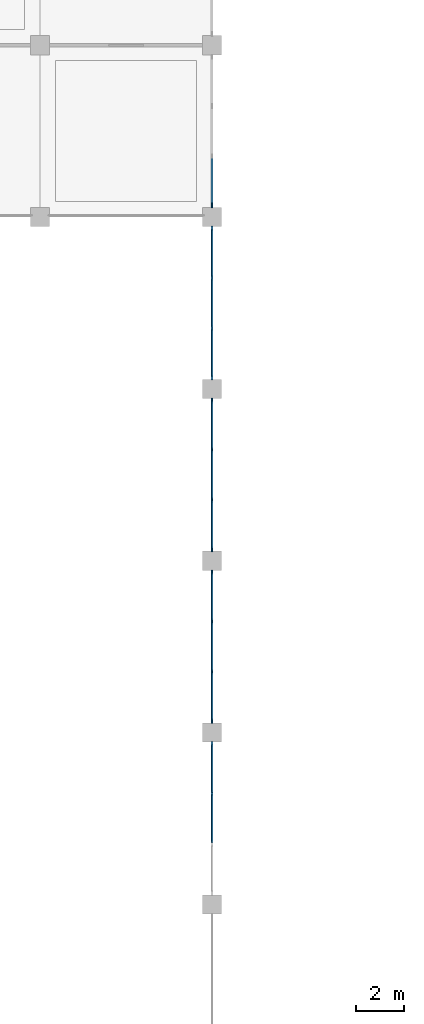
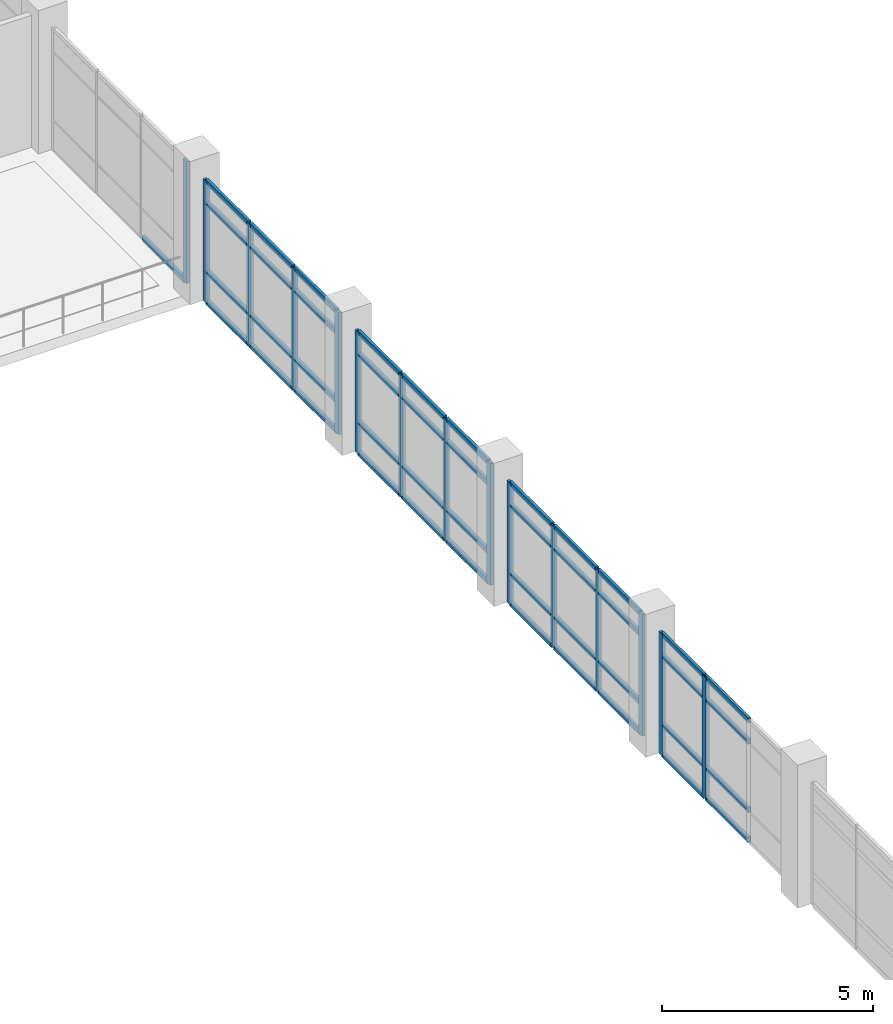
# One storey, part 7 of 62: 60 members, 5 elements without a shape of their own.
"""IFC4 building model written with IfcOpenShell, lengths in metres."""

from ifc_helpers import new_model, si_unit, direction, frame, origin, origin_2d, place, context, subcontext, project, spatial, rectangle, extrude, material, layer, layer_set, material_profile, profile_set, type_object, element, aggregate, save


model = new_model("IFC4")

# Units and contexts
model_context = context("Model", 3, precision=1e-05, world=origin(), true_north=direction((0.0, 1.0)))
body_context = subcontext(model_context, "Body", "Model", "MODEL_VIEW")
ifc_project = project(units=[si_unit("LENGTHUNIT", "METRE"), si_unit("AREAUNIT", "SQUARE_METRE"), si_unit("VOLUMEUNIT", "CUBIC_METRE"), si_unit("PLANEANGLEUNIT", "RADIAN"), si_unit("MASSUNIT", "GRAM", prefix="KILO")], contexts=[model_context])

# Site, building, storey
site_placement = place(None, origin())
site = spatial("IfcSite", under=ifc_project, at=site_placement, CompositionType="ELEMENT")
building_placement = place(site_placement, origin())
building = spatial("IfcBuilding", under=site, at=building_placement, Name="Kavelor Marine Aquarium", CompositionType="ELEMENT")
storey_placement = place(building_placement, frame((0.0, 0.0, 13.5)))
storey = spatial("IfcBuildingStorey", under=building, at=storey_placement, Name="L03", CompositionType="ELEMENT", Elevation=13.5)

# Curtain wall, members
ifc_material_1 = material(Name="Thermally Broken Aluminium and Low-E Glass", Category="aluminium")
ifc_layer_1 = layer(ifc_material_1, 0.2919921875)
ifc_layer_set_1 = layer_set([ifc_layer_1], Name="CW-SYS19")
curtain_wall_type_1 = type_object("IfcCurtainWallType", Name="CW-SYS19", PredefinedType="USERDEFINED", material=ifc_layer_set_1)
curtain_wall_1_placement = place(storey_placement, origin())
curtain_wall_1 = element("IfcCurtainWall", 1, at=curtain_wall_1_placement, inside=storey, type_object=curtain_wall_type_1, Name="cw:y:L03:05_05", ObjectType="Curtain Wall", PredefinedType="USERDEFINED")
ifc_material_2 = material(Name="Anodised Aluminium Alloy 6063-T6", Category="aluminium")
ifc_material_profile_1 = material_profile(ifc_material_2, rectangle(XDim=0.074951171875, YDim=0.179931640625, at=origin_2d()), Name="CW-MUL 75x180")
ifc_profile_set_1 = profile_set([ifc_material_profile_1], Name="Anodised Aluminium Alloy 6063-T6")
member_type_1 = type_object("IfcMemberType", Name="CWM-1", PredefinedType="MULLION", material=ifc_profile_set_1)
member_1_placement = place(storey_placement, frame((39.199951171875, 39.282470703125, 0.0), z_axis=(0.0, 0.0, 1.0), x_axis=(-1.0, 0.0, 0.0)))
member_1 = element("IfcMember", 2, at=member_1_placement, type_object=member_type_1, Name="CW19 mullion 1", PredefinedType="MULLION", context=body_context, shape_type="SweptSolid", body=[
    extrude(rectangle(XDim=0.074951171875, YDim=0.179931640625, at=origin_2d()), origin(), (0.0, 0.0, 1.0), 3.530029296875),
])
member_2_placement = place(storey_placement, frame((39.199951171875, 41.348388671875, 0.0), z_axis=(0.0, 0.0, 1.0), x_axis=(-1.0, 0.0, 0.0)))
member_2 = element("IfcMember", 3, at=member_2_placement, type_object=member_type_1, Name="CW19 mullion 2", PredefinedType="MULLION", context=body_context, shape_type="SweptSolid", body=[
    extrude(rectangle(XDim=0.074951171875, YDim=0.179931640625, at=origin_2d()), origin(), (0.0, 0.0, 1.0), 3.530029296875),
])
member_3_placement = place(storey_placement, frame((39.199951171875, 43.45166015625, 0.0), z_axis=(0.0, 0.0, 1.0), x_axis=(-1.0, 0.0, 0.0)))
member_3 = element("IfcMember", 4, at=member_3_placement, type_object=member_type_1, Name="CW19 mullion 3", PredefinedType="MULLION", context=body_context, shape_type="SweptSolid", body=[
    extrude(rectangle(XDim=0.074951171875, YDim=0.179931640625, at=origin_2d()), origin(), (0.0, 0.0, 1.0), 3.530029296875),
])
member_4_placement = place(storey_placement, frame((39.199951171875, 45.517578125, 0.0), z_axis=(0.0, 0.0, 1.0), x_axis=(-1.0, 0.0, 0.0)))
member_4 = element("IfcMember", 5, at=member_4_placement, type_object=member_type_1, Name="CW19 mullion 4", PredefinedType="MULLION", context=body_context, shape_type="SweptSolid", body=[
    extrude(rectangle(XDim=0.074951171875, YDim=0.179931640625, at=origin_2d()), origin(), (0.0, 0.0, 1.0), 3.530029296875),
])

# Curtain wall, member
ifc_material_3 = material(Name="Thermally Broken Aluminium and Low-E Glass", Category="aluminium")
ifc_layer_2 = layer(ifc_material_3, 0.31591796875)
ifc_layer_set_2 = layer_set([ifc_layer_2], Name="CW-SYS22")
curtain_wall_type_2 = type_object("IfcCurtainWallType", Name="CW-SYS22", PredefinedType="USERDEFINED", material=ifc_layer_set_2)
curtain_wall_2_placement = place(storey_placement, origin())
curtain_wall_2 = element("IfcCurtainWall", 6, at=curtain_wall_2_placement, inside=storey, type_object=curtain_wall_type_2, Name="cw:y:L03:05_08", ObjectType="Curtain Wall", PredefinedType="USERDEFINED")
member_5_placement = place(storey_placement, frame((39.199951171875, 60.882568359375, 0.0), z_axis=(0.0, 0.0, 1.0), x_axis=(-1.0, 0.0, 0.0)))
member_5 = element("IfcMember", 7, at=member_5_placement, type_object=member_type_1, Name="CW22 mullion 1", PredefinedType="MULLION", context=body_context, shape_type="SweptSolid", body=[
    extrude(rectangle(XDim=0.074951171875, YDim=0.179931640625, at=origin_2d()), origin(), (0.0, 0.0, 1.0), 3.530029296875),
])

# Curtain wall, members
ifc_material_4 = material(Name="Thermally Broken Aluminium and Low-E Glass", Category="aluminium")
ifc_layer_3 = layer(ifc_material_4, 0.300048828125)
ifc_layer_set_3 = layer_set([ifc_layer_3], Name="CW-SYS20")
curtain_wall_type_3 = type_object("IfcCurtainWallType", Name="CW-SYS20", PredefinedType="USERDEFINED", material=ifc_layer_set_3)
curtain_wall_3_placement = place(storey_placement, origin())
curtain_wall_3 = element("IfcCurtainWall", 8, at=curtain_wall_3_placement, inside=storey, type_object=curtain_wall_type_3, Name="cw:y:L03:05_06", ObjectType="Curtain Wall", PredefinedType="USERDEFINED")
ifc_material_5 = material(Name="Anodised Aluminium Alloy 6063-T6", Category="aluminium")
ifc_material_profile_2 = material_profile(ifc_material_5, rectangle(XDim=0.080078125, YDim=0.18505859375, at=origin_2d()), Name="CW-MUL 80x185")
ifc_profile_set_2 = profile_set([ifc_material_profile_2], Name="Anodised Aluminium Alloy 6063-T6")
member_type_2 = type_object("IfcMemberType", Name="CWM-2", PredefinedType="MULLION", material=ifc_profile_set_2)
member_6_placement = place(storey_placement, frame((39.199951171875, 46.4775390625, 0.0), z_axis=(0.0, 0.0, 1.0), x_axis=(-1.0, 0.0, 0.0)))
member_6 = element("IfcMember", 9, at=member_6_placement, type_object=member_type_2, Name="CW20 mullion 1", PredefinedType="MULLION", context=body_context, shape_type="SweptSolid", body=[
    extrude(rectangle(XDim=0.080078125, YDim=0.18505859375, at=origin_2d()), origin(), (0.0, 0.0, 1.0), 3.530029296875),
])
member_7_placement = place(storey_placement, frame((39.199951171875, 48.54833984375, 0.0), z_axis=(0.0, 0.0, 1.0), x_axis=(-1.0, 0.0, 0.0)))
member_7 = element("IfcMember", 10, at=member_7_placement, type_object=member_type_2, Name="CW20 mullion 2", PredefinedType="MULLION", context=body_context, shape_type="SweptSolid", body=[
    extrude(rectangle(XDim=0.080078125, YDim=0.18505859375, at=origin_2d()), origin(), (0.0, 0.0, 1.0), 3.530029296875),
])
member_8_placement = place(storey_placement, frame((39.199951171875, 50.651611328125, 0.0), z_axis=(0.0, 0.0, 1.0), x_axis=(-1.0, 0.0, 0.0)))
member_8 = element("IfcMember", 11, at=member_8_placement, type_object=member_type_2, Name="CW20 mullion 3", PredefinedType="MULLION", context=body_context, shape_type="SweptSolid", body=[
    extrude(rectangle(XDim=0.080078125, YDim=0.18505859375, at=origin_2d()), origin(), (0.0, 0.0, 1.0), 3.530029296875),
])
member_9_placement = place(storey_placement, frame((39.199951171875, 52.722412109375, 0.0), z_axis=(0.0, 0.0, 1.0), x_axis=(-1.0, 0.0, 0.0)))
member_9 = element("IfcMember", 12, at=member_9_placement, type_object=member_type_2, Name="CW20 mullion 4", PredefinedType="MULLION", context=body_context, shape_type="SweptSolid", body=[
    extrude(rectangle(XDim=0.080078125, YDim=0.18505859375, at=origin_2d()), origin(), (0.0, 0.0, 1.0), 3.530029296875),
])

ifc_material_6 = material(Name="Thermally Broken Aluminium and Low-E Glass", Category="aluminium")
ifc_layer_4 = layer(ifc_material_6, 0.283935546875)
ifc_layer_set_4 = layer_set([ifc_layer_4], Name="CW-SYS18")
curtain_wall_type_4 = type_object("IfcCurtainWallType", Name="CW-SYS18", PredefinedType="USERDEFINED", material=ifc_layer_set_4)
curtain_wall_4_placement = place(storey_placement, origin())
curtain_wall_4 = element("IfcCurtainWall", 13, at=curtain_wall_4_placement, inside=storey, type_object=curtain_wall_type_4, Name="cw:y:L03:05_04", ObjectType="Curtain Wall", PredefinedType="USERDEFINED")
ifc_material_7 = material(Name="Anodised Aluminium Alloy 6063-T6", Category="aluminium")
ifc_material_profile_3 = material_profile(ifc_material_7, rectangle(XDim=0.0849609375, YDim=0.18994140625, at=origin_2d()), Name="CW-MUL 85x190")
ifc_profile_set_3 = profile_set([ifc_material_profile_3], Name="Anodised Aluminium Alloy 6063-T6")
member_type_3 = type_object("IfcMemberType", Name="CWM-3", PredefinedType="MULLION", material=ifc_profile_set_3)
member_10_placement = place(storey_placement, frame((39.199951171875, 36.251708984375, 0.0), z_axis=(0.0, 0.0, 1.0), x_axis=(-1.0, 0.0, 0.0)))
member_10 = element("IfcMember", 14, at=member_10_placement, type_object=member_type_3, Name="CW18 mullion 3", PredefinedType="MULLION", context=body_context, shape_type="SweptSolid", body=[
    extrude(rectangle(XDim=0.0849609375, YDim=0.18994140625, at=origin_2d()), origin(), (0.0, 0.0, 1.0), 3.530029296875),
])
member_11_placement = place(storey_placement, frame((39.199951171875, 38.324951171875, 0.0), z_axis=(0.0, 0.0, 1.0), x_axis=(-1.0, 0.0, 0.0)))
member_11 = element("IfcMember", 15, at=member_11_placement, type_object=member_type_3, Name="CW18 mullion 4", PredefinedType="MULLION", context=body_context, shape_type="SweptSolid", body=[
    extrude(rectangle(XDim=0.0849609375, YDim=0.18994140625, at=origin_2d()), origin(), (0.0, 0.0, 1.0), 3.530029296875),
])

ifc_material_8 = material(Name="Thermally Broken Aluminium and Low-E Glass", Category="aluminium")
ifc_layer_5 = layer(ifc_material_8, 0.30810546875)
ifc_layer_set_5 = layer_set([ifc_layer_5], Name="CW-SYS21")
curtain_wall_type_5 = type_object("IfcCurtainWallType", Name="CW-SYS21", PredefinedType="USERDEFINED", material=ifc_layer_set_5)
curtain_wall_5_placement = place(storey_placement, origin())
curtain_wall_5 = element("IfcCurtainWall", 16, at=curtain_wall_5_placement, inside=storey, type_object=curtain_wall_type_5, Name="cw:y:L03:05_07", ObjectType="Curtain Wall", PredefinedType="USERDEFINED")
member_12_placement = place(storey_placement, frame((39.199951171875, 53.675048828125, 0.0), z_axis=(0.0, 0.0, 1.0), x_axis=(-1.0, 0.0, 0.0)))
member_12 = element("IfcMember", 17, at=member_12_placement, type_object=member_type_3, Name="CW21 mullion 1", PredefinedType="MULLION", context=body_context, shape_type="SweptSolid", body=[
    extrude(rectangle(XDim=0.0849609375, YDim=0.18994140625, at=origin_2d()), origin(), (0.0, 0.0, 1.0), 3.530029296875),
])
member_13_placement = place(storey_placement, frame((39.199951171875, 55.748291015625, 0.0), z_axis=(0.0, 0.0, 1.0), x_axis=(-1.0, 0.0, 0.0)))
member_13 = element("IfcMember", 18, at=member_13_placement, type_object=member_type_3, Name="CW21 mullion 2", PredefinedType="MULLION", context=body_context, shape_type="SweptSolid", body=[
    extrude(rectangle(XDim=0.0849609375, YDim=0.18994140625, at=origin_2d()), origin(), (0.0, 0.0, 1.0), 3.530029296875),
])
member_14_placement = place(storey_placement, frame((39.199951171875, 57.8515625, 0.0), z_axis=(0.0, 0.0, 1.0), x_axis=(-1.0, 0.0, 0.0)))
member_14 = element("IfcMember", 19, at=member_14_placement, type_object=member_type_3, Name="CW21 mullion 3", PredefinedType="MULLION", context=body_context, shape_type="SweptSolid", body=[
    extrude(rectangle(XDim=0.0849609375, YDim=0.18994140625, at=origin_2d()), origin(), (0.0, 0.0, 1.0), 3.530029296875),
])
member_15_placement = place(storey_placement, frame((39.199951171875, 59.925048828125, 0.0), z_axis=(0.0, 0.0, 1.0), x_axis=(-1.0, 0.0, 0.0)))
member_15 = element("IfcMember", 20, at=member_15_placement, type_object=member_type_3, Name="CW21 mullion 4", PredefinedType="MULLION", context=body_context, shape_type="SweptSolid", body=[
    extrude(rectangle(XDim=0.0849609375, YDim=0.18994140625, at=origin_2d()), origin(), (0.0, 0.0, 1.0), 3.530029296875),
])

# Member
ifc_material_9 = material(Name="Anodised Aluminium Alloy 6063-T6", Category="aluminium")
ifc_material_profile_4 = material_profile(ifc_material_9, rectangle(XDim=0.074951171875, YDim=0.14990234375, at=origin_2d()), Name="CW-TRN 75x150")
ifc_profile_set_4 = profile_set([ifc_material_profile_4], Name="Anodised Aluminium Alloy 6063-T6")
member_type_4 = type_object("IfcMemberType", Name="CWT-1", PredefinedType="USERDEFINED", material=ifc_profile_set_4)
member_16_placement = place(storey_placement, frame((39.199951171875, 34.17822265625, 0.03759765625), z_axis=(0.0, 1.0, 0.0), x_axis=(-1.0, 0.0, 0.0)))
member_16 = element("IfcMember", 21, at=member_16_placement, type_object=member_type_4, Name="CW18 transom 2.1", ObjectType="TRANSOM", PredefinedType="USERDEFINED", context=body_context, shape_type="SweptSolid", body=[
    extrude(rectangle(XDim=0.074951171875, YDim=0.14990234375, at=origin_2d()), origin(), (0.0, 0.0, 1.0), 2.04345703125),
])

member_17_placement = place(storey_placement, frame((39.199951171875, 34.17822265625, 0.89990234375), z_axis=(0.0, 1.0, 0.0), x_axis=(-1.0, 0.0, 0.0)))
member_17 = element("IfcMember", 22, at=member_17_placement, type_object=member_type_4, Name="CW18 transom 2.2", ObjectType="TRANSOM", PredefinedType="USERDEFINED", context=body_context, shape_type="SweptSolid", body=[
    extrude(rectangle(XDim=0.074951171875, YDim=0.14990234375, at=origin_2d()), origin(), (0.0, 0.0, 1.0), 2.04345703125),
])

member_18_placement = place(storey_placement, frame((39.199951171875, 34.17822265625, 2.8798828125), z_axis=(0.0, 1.0, 0.0), x_axis=(-1.0, 0.0, 0.0)))
member_18 = element("IfcMember", 23, at=member_18_placement, type_object=member_type_4, Name="CW18 transom 2.3", ObjectType="TRANSOM", PredefinedType="USERDEFINED", context=body_context, shape_type="SweptSolid", body=[
    extrude(rectangle(XDim=0.074951171875, YDim=0.14990234375, at=origin_2d()), origin(), (0.0, 0.0, 1.0), 2.04345703125),
])

member_19_placement = place(storey_placement, frame((39.199951171875, 34.17822265625, 3.492431640625), z_axis=(0.0, 1.0, 0.0), x_axis=(-1.0, 0.0, 0.0)))
member_19 = element("IfcMember", 24, at=member_19_placement, type_object=member_type_4, Name="CW18 transom 2.4", ObjectType="TRANSOM", PredefinedType="USERDEFINED", context=body_context, shape_type="SweptSolid", body=[
    extrude(rectangle(XDim=0.074951171875, YDim=0.14990234375, at=origin_2d()), origin(), (0.0, 0.0, 1.0), 2.04345703125),
])

member_20_placement = place(storey_placement, frame((39.199951171875, 36.28173828125, 0.03759765625), z_axis=(0.0, 1.0, 0.0), x_axis=(-1.0, 0.0, 0.0)))
member_20 = element("IfcMember", 25, at=member_20_placement, type_object=member_type_4, Name="CW18 transom 3.1", ObjectType="TRANSOM", PredefinedType="USERDEFINED", context=body_context, shape_type="SweptSolid", body=[
    extrude(rectangle(XDim=0.074951171875, YDim=0.14990234375, at=origin_2d()), origin(), (0.0, 0.0, 1.0), 2.01318359375),
])

member_21_placement = place(storey_placement, frame((39.199951171875, 36.28173828125, 0.89990234375), z_axis=(0.0, 1.0, 0.0), x_axis=(-1.0, 0.0, 0.0)))
member_21 = element("IfcMember", 26, at=member_21_placement, type_object=member_type_4, Name="CW18 transom 3.2", ObjectType="TRANSOM", PredefinedType="USERDEFINED", context=body_context, shape_type="SweptSolid", body=[
    extrude(rectangle(XDim=0.074951171875, YDim=0.14990234375, at=origin_2d()), origin(), (0.0, 0.0, 1.0), 2.01318359375),
])

member_22_placement = place(storey_placement, frame((39.199951171875, 36.28173828125, 2.8798828125), z_axis=(0.0, 1.0, 0.0), x_axis=(-1.0, 0.0, 0.0)))
member_22 = element("IfcMember", 27, at=member_22_placement, type_object=member_type_4, Name="CW18 transom 3.3", ObjectType="TRANSOM", PredefinedType="USERDEFINED", context=body_context, shape_type="SweptSolid", body=[
    extrude(rectangle(XDim=0.074951171875, YDim=0.14990234375, at=origin_2d()), origin(), (0.0, 0.0, 1.0), 2.01318359375),
])

member_23_placement = place(storey_placement, frame((39.199951171875, 36.28173828125, 3.492431640625), z_axis=(0.0, 1.0, 0.0), x_axis=(-1.0, 0.0, 0.0)))
member_23 = element("IfcMember", 28, at=member_23_placement, type_object=member_type_4, Name="CW18 transom 3.4", ObjectType="TRANSOM", PredefinedType="USERDEFINED", context=body_context, shape_type="SweptSolid", body=[
    extrude(rectangle(XDim=0.074951171875, YDim=0.14990234375, at=origin_2d()), origin(), (0.0, 0.0, 1.0), 2.01318359375),
])

aggregate(curtain_wall_4, [member_10, member_11, member_16, member_17, member_18, member_19, member_20, member_21, member_22, member_23])

member_24_placement = place(storey_placement, frame((39.199951171875, 39.320068359375, 0.03759765625), z_axis=(0.0, 1.0, 0.0), x_axis=(-1.0, 0.0, 0.0)))
member_24 = element("IfcMember", 29, at=member_24_placement, type_object=member_type_4, Name="CW19 transom 1.1", ObjectType="TRANSOM", PredefinedType="USERDEFINED", context=body_context, shape_type="SweptSolid", body=[
    extrude(rectangle(XDim=0.074951171875, YDim=0.14990234375, at=origin_2d()), origin(), (0.0, 0.0, 1.0), 1.99072265625),
])

member_25_placement = place(storey_placement, frame((39.199951171875, 39.320068359375, 0.89990234375), z_axis=(0.0, 1.0, 0.0), x_axis=(-1.0, 0.0, 0.0)))
member_25 = element("IfcMember", 30, at=member_25_placement, type_object=member_type_4, Name="CW19 transom 1.2", ObjectType="TRANSOM", PredefinedType="USERDEFINED", context=body_context, shape_type="SweptSolid", body=[
    extrude(rectangle(XDim=0.074951171875, YDim=0.14990234375, at=origin_2d()), origin(), (0.0, 0.0, 1.0), 1.99072265625),
])

member_26_placement = place(storey_placement, frame((39.199951171875, 39.320068359375, 2.8798828125), z_axis=(0.0, 1.0, 0.0), x_axis=(-1.0, 0.0, 0.0)))
member_26 = element("IfcMember", 31, at=member_26_placement, type_object=member_type_4, Name="CW19 transom 1.3", ObjectType="TRANSOM", PredefinedType="USERDEFINED", context=body_context, shape_type="SweptSolid", body=[
    extrude(rectangle(XDim=0.074951171875, YDim=0.14990234375, at=origin_2d()), origin(), (0.0, 0.0, 1.0), 1.99072265625),
])

member_27_placement = place(storey_placement, frame((39.199951171875, 39.320068359375, 3.492431640625), z_axis=(0.0, 1.0, 0.0), x_axis=(-1.0, 0.0, 0.0)))
member_27 = element("IfcMember", 32, at=member_27_placement, type_object=member_type_4, Name="CW19 transom 1.4", ObjectType="TRANSOM", PredefinedType="USERDEFINED", context=body_context, shape_type="SweptSolid", body=[
    extrude(rectangle(XDim=0.074951171875, YDim=0.14990234375, at=origin_2d()), origin(), (0.0, 0.0, 1.0), 1.99072265625),
])

member_28_placement = place(storey_placement, frame((39.199951171875, 41.3857421875, 0.03759765625), z_axis=(0.0, 1.0, 0.0), x_axis=(-1.0, 0.0, 0.0)))
member_28 = element("IfcMember", 33, at=member_28_placement, type_object=member_type_4, Name="CW19 transom 2.1", ObjectType="TRANSOM", PredefinedType="USERDEFINED", context=body_context, shape_type="SweptSolid", body=[
    extrude(rectangle(XDim=0.074951171875, YDim=0.14990234375, at=origin_2d()), origin(), (0.0, 0.0, 1.0), 2.0283203125),
])

member_29_placement = place(storey_placement, frame((39.199951171875, 41.3857421875, 0.89990234375), z_axis=(0.0, 1.0, 0.0), x_axis=(-1.0, 0.0, 0.0)))
member_29 = element("IfcMember", 34, at=member_29_placement, type_object=member_type_4, Name="CW19 transom 2.2", ObjectType="TRANSOM", PredefinedType="USERDEFINED", context=body_context, shape_type="SweptSolid", body=[
    extrude(rectangle(XDim=0.074951171875, YDim=0.14990234375, at=origin_2d()), origin(), (0.0, 0.0, 1.0), 2.0283203125),
])

member_30_placement = place(storey_placement, frame((39.199951171875, 41.3857421875, 2.8798828125), z_axis=(0.0, 1.0, 0.0), x_axis=(-1.0, 0.0, 0.0)))
member_30 = element("IfcMember", 35, at=member_30_placement, type_object=member_type_4, Name="CW19 transom 2.3", ObjectType="TRANSOM", PredefinedType="USERDEFINED", context=body_context, shape_type="SweptSolid", body=[
    extrude(rectangle(XDim=0.074951171875, YDim=0.14990234375, at=origin_2d()), origin(), (0.0, 0.0, 1.0), 2.0283203125),
])

member_31_placement = place(storey_placement, frame((39.199951171875, 41.3857421875, 3.492431640625), z_axis=(0.0, 1.0, 0.0), x_axis=(-1.0, 0.0, 0.0)))
member_31 = element("IfcMember", 36, at=member_31_placement, type_object=member_type_4, Name="CW19 transom 2.4", ObjectType="TRANSOM", PredefinedType="USERDEFINED", context=body_context, shape_type="SweptSolid", body=[
    extrude(rectangle(XDim=0.074951171875, YDim=0.14990234375, at=origin_2d()), origin(), (0.0, 0.0, 1.0), 2.0283203125),
])

member_32_placement = place(storey_placement, frame((39.199951171875, 43.4892578125, 0.03759765625), z_axis=(0.0, 1.0, 0.0), x_axis=(-1.0, 0.0, 0.0)))
member_32 = element("IfcMember", 37, at=member_32_placement, type_object=member_type_4, Name="CW19 transom 3.1", ObjectType="TRANSOM", PredefinedType="USERDEFINED", context=body_context, shape_type="SweptSolid", body=[
    extrude(rectangle(XDim=0.074951171875, YDim=0.14990234375, at=origin_2d()), origin(), (0.0, 0.0, 1.0), 1.99072265625),
])

member_33_placement = place(storey_placement, frame((39.199951171875, 43.4892578125, 0.89990234375), z_axis=(0.0, 1.0, 0.0), x_axis=(-1.0, 0.0, 0.0)))
member_33 = element("IfcMember", 38, at=member_33_placement, type_object=member_type_4, Name="CW19 transom 3.2", ObjectType="TRANSOM", PredefinedType="USERDEFINED", context=body_context, shape_type="SweptSolid", body=[
    extrude(rectangle(XDim=0.074951171875, YDim=0.14990234375, at=origin_2d()), origin(), (0.0, 0.0, 1.0), 1.99072265625),
])

member_34_placement = place(storey_placement, frame((39.199951171875, 43.4892578125, 2.8798828125), z_axis=(0.0, 1.0, 0.0), x_axis=(-1.0, 0.0, 0.0)))
member_34 = element("IfcMember", 39, at=member_34_placement, type_object=member_type_4, Name="CW19 transom 3.3", ObjectType="TRANSOM", PredefinedType="USERDEFINED", context=body_context, shape_type="SweptSolid", body=[
    extrude(rectangle(XDim=0.074951171875, YDim=0.14990234375, at=origin_2d()), origin(), (0.0, 0.0, 1.0), 1.99072265625),
])

member_35_placement = place(storey_placement, frame((39.199951171875, 43.4892578125, 3.492431640625), z_axis=(0.0, 1.0, 0.0), x_axis=(-1.0, 0.0, 0.0)))
member_35 = element("IfcMember", 40, at=member_35_placement, type_object=member_type_4, Name="CW19 transom 3.4", ObjectType="TRANSOM", PredefinedType="USERDEFINED", context=body_context, shape_type="SweptSolid", body=[
    extrude(rectangle(XDim=0.074951171875, YDim=0.14990234375, at=origin_2d()), origin(), (0.0, 0.0, 1.0), 1.99072265625),
])

aggregate(curtain_wall_1, [member_1, member_2, member_3, member_4, member_24, member_25, member_26, member_27, member_28, member_29, member_30, member_31, member_32, member_33, member_34, member_35])

ifc_material_10 = material(Name="Anodised Aluminium Alloy 6063-T6", Category="aluminium")
ifc_material_profile_5 = material_profile(ifc_material_10, rectangle(XDim=0.080078125, YDim=0.155029296875, at=origin_2d()), Name="CW-TRN 80x155")
ifc_profile_set_5 = profile_set([ifc_material_profile_5], Name="Anodised Aluminium Alloy 6063-T6")
member_type_5 = type_object("IfcMemberType", Name="CWT-2", PredefinedType="USERDEFINED", material=ifc_profile_set_5)
member_36_placement = place(storey_placement, frame((39.199951171875, 46.510009765625, 0.032470703125), z_axis=(0.0, 1.0, 0.0), x_axis=(-1.0, 0.0, 0.0)))
member_36 = element("IfcMember", 41, at=member_36_placement, type_object=member_type_5, Name="CW20 transom 1.1", ObjectType="TRANSOM", PredefinedType="USERDEFINED", context=body_context, shape_type="SweptSolid", body=[
    extrude(rectangle(XDim=0.080078125, YDim=0.155029296875, at=origin_2d()), origin(), (0.0, 0.0, 1.0), 2.005859375),
])

member_37_placement = place(storey_placement, frame((39.199951171875, 46.510009765625, 0.89990234375), z_axis=(0.0, 1.0, 0.0), x_axis=(-1.0, 0.0, 0.0)))
member_37 = element("IfcMember", 42, at=member_37_placement, type_object=member_type_5, Name="CW20 transom 1.2", ObjectType="TRANSOM", PredefinedType="USERDEFINED", context=body_context, shape_type="SweptSolid", body=[
    extrude(rectangle(XDim=0.080078125, YDim=0.155029296875, at=origin_2d()), origin(), (0.0, 0.0, 1.0), 2.005859375),
])

member_38_placement = place(storey_placement, frame((39.199951171875, 46.510009765625, 2.8798828125), z_axis=(0.0, 1.0, 0.0), x_axis=(-1.0, 0.0, 0.0)))
member_38 = element("IfcMember", 43, at=member_38_placement, type_object=member_type_5, Name="CW20 transom 1.3", ObjectType="TRANSOM", PredefinedType="USERDEFINED", context=body_context, shape_type="SweptSolid", body=[
    extrude(rectangle(XDim=0.080078125, YDim=0.155029296875, at=origin_2d()), origin(), (0.0, 0.0, 1.0), 2.005859375),
])

member_39_placement = place(storey_placement, frame((39.199951171875, 46.510009765625, 3.49755859375), z_axis=(0.0, 1.0, 0.0), x_axis=(-1.0, 0.0, 0.0)))
member_39 = element("IfcMember", 44, at=member_39_placement, type_object=member_type_5, Name="CW20 transom 1.4", ObjectType="TRANSOM", PredefinedType="USERDEFINED", context=body_context, shape_type="SweptSolid", body=[
    extrude(rectangle(XDim=0.080078125, YDim=0.155029296875, at=origin_2d()), origin(), (0.0, 0.0, 1.0), 2.005859375),
])

member_40_placement = place(storey_placement, frame((39.199951171875, 48.580810546875, 0.032470703125), z_axis=(0.0, 1.0, 0.0), x_axis=(-1.0, 0.0, 0.0)))
member_40 = element("IfcMember", 45, at=member_40_placement, type_object=member_type_5, Name="CW20 transom 2.1", ObjectType="TRANSOM", PredefinedType="USERDEFINED", context=body_context, shape_type="SweptSolid", body=[
    extrude(rectangle(XDim=0.080078125, YDim=0.155029296875, at=origin_2d()), origin(), (0.0, 0.0, 1.0), 2.038330078125),
])

member_41_placement = place(storey_placement, frame((39.199951171875, 48.580810546875, 0.89990234375), z_axis=(0.0, 1.0, 0.0), x_axis=(-1.0, 0.0, 0.0)))
member_41 = element("IfcMember", 46, at=member_41_placement, type_object=member_type_5, Name="CW20 transom 2.2", ObjectType="TRANSOM", PredefinedType="USERDEFINED", context=body_context, shape_type="SweptSolid", body=[
    extrude(rectangle(XDim=0.080078125, YDim=0.155029296875, at=origin_2d()), origin(), (0.0, 0.0, 1.0), 2.038330078125),
])

member_42_placement = place(storey_placement, frame((39.199951171875, 48.580810546875, 2.8798828125), z_axis=(0.0, 1.0, 0.0), x_axis=(-1.0, 0.0, 0.0)))
member_42 = element("IfcMember", 47, at=member_42_placement, type_object=member_type_5, Name="CW20 transom 2.3", ObjectType="TRANSOM", PredefinedType="USERDEFINED", context=body_context, shape_type="SweptSolid", body=[
    extrude(rectangle(XDim=0.080078125, YDim=0.155029296875, at=origin_2d()), origin(), (0.0, 0.0, 1.0), 2.038330078125),
])

member_43_placement = place(storey_placement, frame((39.199951171875, 48.580810546875, 3.49755859375), z_axis=(0.0, 1.0, 0.0), x_axis=(-1.0, 0.0, 0.0)))
member_43 = element("IfcMember", 48, at=member_43_placement, type_object=member_type_5, Name="CW20 transom 2.4", ObjectType="TRANSOM", PredefinedType="USERDEFINED", context=body_context, shape_type="SweptSolid", body=[
    extrude(rectangle(XDim=0.080078125, YDim=0.155029296875, at=origin_2d()), origin(), (0.0, 0.0, 1.0), 2.038330078125),
])

member_44_placement = place(storey_placement, frame((39.199951171875, 50.68408203125, 0.032470703125), z_axis=(0.0, 1.0, 0.0), x_axis=(-1.0, 0.0, 0.0)))
member_44 = element("IfcMember", 49, at=member_44_placement, type_object=member_type_5, Name="CW20 transom 3.1", ObjectType="TRANSOM", PredefinedType="USERDEFINED", context=body_context, shape_type="SweptSolid", body=[
    extrude(rectangle(XDim=0.080078125, YDim=0.155029296875, at=origin_2d()), origin(), (0.0, 0.0, 1.0), 2.005859375),
])

member_45_placement = place(storey_placement, frame((39.199951171875, 50.68408203125, 0.89990234375), z_axis=(0.0, 1.0, 0.0), x_axis=(-1.0, 0.0, 0.0)))
member_45 = element("IfcMember", 50, at=member_45_placement, type_object=member_type_5, Name="CW20 transom 3.2", ObjectType="TRANSOM", PredefinedType="USERDEFINED", context=body_context, shape_type="SweptSolid", body=[
    extrude(rectangle(XDim=0.080078125, YDim=0.155029296875, at=origin_2d()), origin(), (0.0, 0.0, 1.0), 2.005859375),
])

member_46_placement = place(storey_placement, frame((39.199951171875, 50.68408203125, 2.8798828125), z_axis=(0.0, 1.0, 0.0), x_axis=(-1.0, 0.0, 0.0)))
member_46 = element("IfcMember", 51, at=member_46_placement, type_object=member_type_5, Name="CW20 transom 3.3", ObjectType="TRANSOM", PredefinedType="USERDEFINED", context=body_context, shape_type="SweptSolid", body=[
    extrude(rectangle(XDim=0.080078125, YDim=0.155029296875, at=origin_2d()), origin(), (0.0, 0.0, 1.0), 2.005859375),
])

member_47_placement = place(storey_placement, frame((39.199951171875, 50.68408203125, 3.49755859375), z_axis=(0.0, 1.0, 0.0), x_axis=(-1.0, 0.0, 0.0)))
member_47 = element("IfcMember", 52, at=member_47_placement, type_object=member_type_5, Name="CW20 transom 3.4", ObjectType="TRANSOM", PredefinedType="USERDEFINED", context=body_context, shape_type="SweptSolid", body=[
    extrude(rectangle(XDim=0.080078125, YDim=0.155029296875, at=origin_2d()), origin(), (0.0, 0.0, 1.0), 2.005859375),
])

aggregate(curtain_wall_3, [member_6, member_7, member_8, member_9, member_36, member_37, member_38, member_39, member_40, member_41, member_42, member_43, member_44, member_45, member_46, member_47])

member_48_placement = place(storey_placement, frame((39.199951171875, 53.705078125, 0.032470703125), z_axis=(0.0, 1.0, 0.0), x_axis=(-1.0, 0.0, 0.0)))
member_48 = element("IfcMember", 53, at=member_48_placement, type_object=member_type_5, Name="CW21 transom 1.1", ObjectType="TRANSOM", PredefinedType="USERDEFINED", context=body_context, shape_type="SweptSolid", body=[
    extrude(rectangle(XDim=0.080078125, YDim=0.155029296875, at=origin_2d()), origin(), (0.0, 0.0, 1.0), 2.01318359375),
])

member_49_placement = place(storey_placement, frame((39.199951171875, 53.705078125, 0.89990234375), z_axis=(0.0, 1.0, 0.0), x_axis=(-1.0, 0.0, 0.0)))
member_49 = element("IfcMember", 54, at=member_49_placement, type_object=member_type_5, Name="CW21 transom 1.2", ObjectType="TRANSOM", PredefinedType="USERDEFINED", context=body_context, shape_type="SweptSolid", body=[
    extrude(rectangle(XDim=0.080078125, YDim=0.155029296875, at=origin_2d()), origin(), (0.0, 0.0, 1.0), 2.01318359375),
])

member_50_placement = place(storey_placement, frame((39.199951171875, 53.705078125, 2.8798828125), z_axis=(0.0, 1.0, 0.0), x_axis=(-1.0, 0.0, 0.0)))
member_50 = element("IfcMember", 55, at=member_50_placement, type_object=member_type_5, Name="CW21 transom 1.3", ObjectType="TRANSOM", PredefinedType="USERDEFINED", context=body_context, shape_type="SweptSolid", body=[
    extrude(rectangle(XDim=0.080078125, YDim=0.155029296875, at=origin_2d()), origin(), (0.0, 0.0, 1.0), 2.01318359375),
])

member_51_placement = place(storey_placement, frame((39.199951171875, 53.705078125, 3.49755859375), z_axis=(0.0, 1.0, 0.0), x_axis=(-1.0, 0.0, 0.0)))
member_51 = element("IfcMember", 56, at=member_51_placement, type_object=member_type_5, Name="CW21 transom 1.4", ObjectType="TRANSOM", PredefinedType="USERDEFINED", context=body_context, shape_type="SweptSolid", body=[
    extrude(rectangle(XDim=0.080078125, YDim=0.155029296875, at=origin_2d()), origin(), (0.0, 0.0, 1.0), 2.01318359375),
])

member_52_placement = place(storey_placement, frame((39.199951171875, 55.7783203125, 0.032470703125), z_axis=(0.0, 1.0, 0.0), x_axis=(-1.0, 0.0, 0.0)))
member_52 = element("IfcMember", 57, at=member_52_placement, type_object=member_type_5, Name="CW21 transom 2.1", ObjectType="TRANSOM", PredefinedType="USERDEFINED", context=body_context, shape_type="SweptSolid", body=[
    extrude(rectangle(XDim=0.080078125, YDim=0.155029296875, at=origin_2d()), origin(), (0.0, 0.0, 1.0), 2.04345703125),
])

member_53_placement = place(storey_placement, frame((39.199951171875, 55.7783203125, 0.89990234375), z_axis=(0.0, 1.0, 0.0), x_axis=(-1.0, 0.0, 0.0)))
member_53 = element("IfcMember", 58, at=member_53_placement, type_object=member_type_5, Name="CW21 transom 2.2", ObjectType="TRANSOM", PredefinedType="USERDEFINED", context=body_context, shape_type="SweptSolid", body=[
    extrude(rectangle(XDim=0.080078125, YDim=0.155029296875, at=origin_2d()), origin(), (0.0, 0.0, 1.0), 2.04345703125),
])

member_54_placement = place(storey_placement, frame((39.199951171875, 55.7783203125, 2.8798828125), z_axis=(0.0, 1.0, 0.0), x_axis=(-1.0, 0.0, 0.0)))
member_54 = element("IfcMember", 59, at=member_54_placement, type_object=member_type_5, Name="CW21 transom 2.3", ObjectType="TRANSOM", PredefinedType="USERDEFINED", context=body_context, shape_type="SweptSolid", body=[
    extrude(rectangle(XDim=0.080078125, YDim=0.155029296875, at=origin_2d()), origin(), (0.0, 0.0, 1.0), 2.04345703125),
])

member_55_placement = place(storey_placement, frame((39.199951171875, 55.7783203125, 3.49755859375), z_axis=(0.0, 1.0, 0.0), x_axis=(-1.0, 0.0, 0.0)))
member_55 = element("IfcMember", 60, at=member_55_placement, type_object=member_type_5, Name="CW21 transom 2.4", ObjectType="TRANSOM", PredefinedType="USERDEFINED", context=body_context, shape_type="SweptSolid", body=[
    extrude(rectangle(XDim=0.080078125, YDim=0.155029296875, at=origin_2d()), origin(), (0.0, 0.0, 1.0), 2.04345703125),
])

member_56_placement = place(storey_placement, frame((39.199951171875, 57.881591796875, 0.032470703125), z_axis=(0.0, 1.0, 0.0), x_axis=(-1.0, 0.0, 0.0)))
member_56 = element("IfcMember", 61, at=member_56_placement, type_object=member_type_5, Name="CW21 transom 3.1", ObjectType="TRANSOM", PredefinedType="USERDEFINED", context=body_context, shape_type="SweptSolid", body=[
    extrude(rectangle(XDim=0.080078125, YDim=0.155029296875, at=origin_2d()), origin(), (0.0, 0.0, 1.0), 2.013427734375),
])

member_57_placement = place(storey_placement, frame((39.199951171875, 57.881591796875, 0.89990234375), z_axis=(0.0, 1.0, 0.0), x_axis=(-1.0, 0.0, 0.0)))
member_57 = element("IfcMember", 62, at=member_57_placement, type_object=member_type_5, Name="CW21 transom 3.2", ObjectType="TRANSOM", PredefinedType="USERDEFINED", context=body_context, shape_type="SweptSolid", body=[
    extrude(rectangle(XDim=0.080078125, YDim=0.155029296875, at=origin_2d()), origin(), (0.0, 0.0, 1.0), 2.013427734375),
])

member_58_placement = place(storey_placement, frame((39.199951171875, 57.881591796875, 2.8798828125), z_axis=(0.0, 1.0, 0.0), x_axis=(-1.0, 0.0, 0.0)))
member_58 = element("IfcMember", 63, at=member_58_placement, type_object=member_type_5, Name="CW21 transom 3.3", ObjectType="TRANSOM", PredefinedType="USERDEFINED", context=body_context, shape_type="SweptSolid", body=[
    extrude(rectangle(XDim=0.080078125, YDim=0.155029296875, at=origin_2d()), origin(), (0.0, 0.0, 1.0), 2.013427734375),
])

member_59_placement = place(storey_placement, frame((39.199951171875, 57.881591796875, 3.49755859375), z_axis=(0.0, 1.0, 0.0), x_axis=(-1.0, 0.0, 0.0)))
member_59 = element("IfcMember", 64, at=member_59_placement, type_object=member_type_5, Name="CW21 transom 3.4", ObjectType="TRANSOM", PredefinedType="USERDEFINED", context=body_context, shape_type="SweptSolid", body=[
    extrude(rectangle(XDim=0.080078125, YDim=0.155029296875, at=origin_2d()), origin(), (0.0, 0.0, 1.0), 2.013427734375),
])

aggregate(curtain_wall_5, [member_12, member_13, member_14, member_15, member_48, member_49, member_50, member_51, member_52, member_53, member_54, member_55, member_56, member_57, member_58, member_59])

ifc_material_11 = material(Name="Anodised Aluminium Alloy 6063-T6", Category="aluminium")
ifc_material_profile_6 = material_profile(ifc_material_11, rectangle(XDim=0.0849609375, YDim=0.159912109375, at=origin_2d()), Name="CW-TRN 85x160")
ifc_profile_set_6 = profile_set([ifc_material_profile_6], Name="Anodised Aluminium Alloy 6063-T6")
member_type_6 = type_object("IfcMemberType", Name="CWT-3", PredefinedType="USERDEFINED", material=ifc_profile_set_6)
member_60_placement = place(storey_placement, frame((39.199951171875, 60.919921875, 0.030029296875), z_axis=(0.0, 1.0, 0.0), x_axis=(-1.0, 0.0, 0.0)))
member_60 = element("IfcMember", 65, at=member_60_placement, type_object=member_type_6, Name="CW22 transom 1.1", ObjectType="TRANSOM", PredefinedType="USERDEFINED", context=body_context, shape_type="SweptSolid", body=[
    extrude(rectangle(XDim=0.0849609375, YDim=0.159912109375, at=origin_2d()), origin(), (0.0, 0.0, 1.0), 1.990966796875),
])

aggregate(curtain_wall_2, [member_5, member_60])

save(model, "model.ifc")
